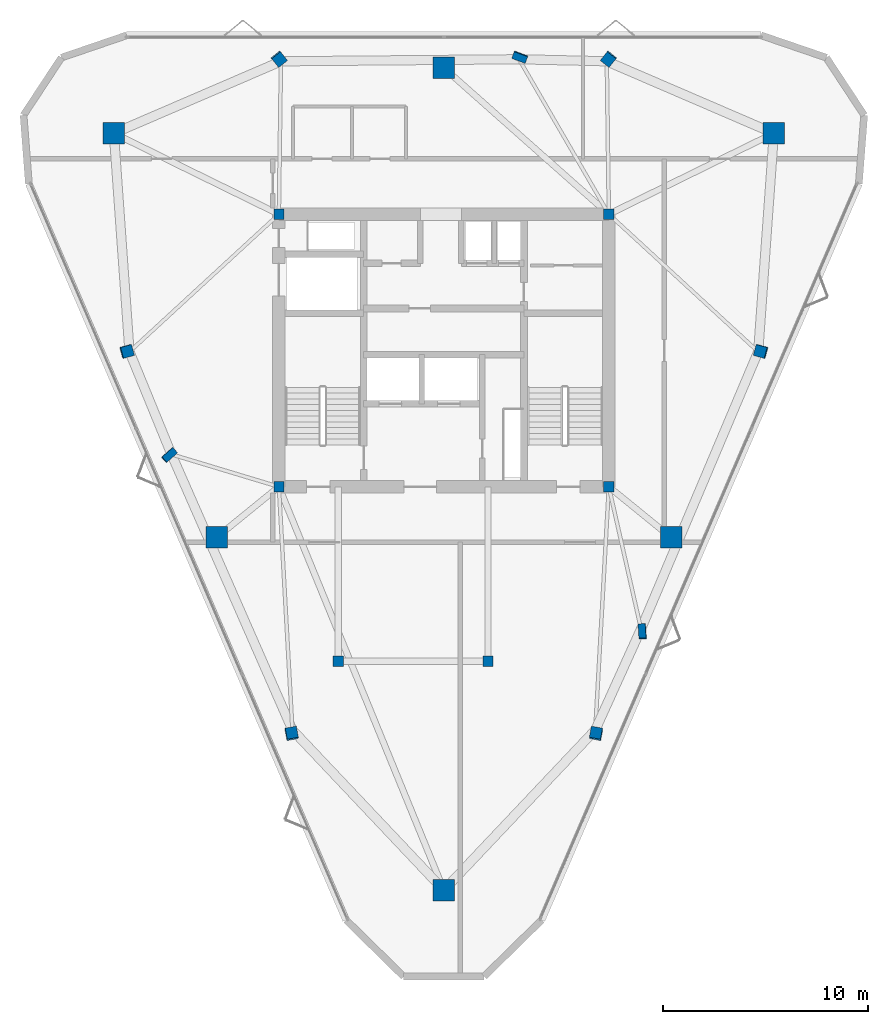
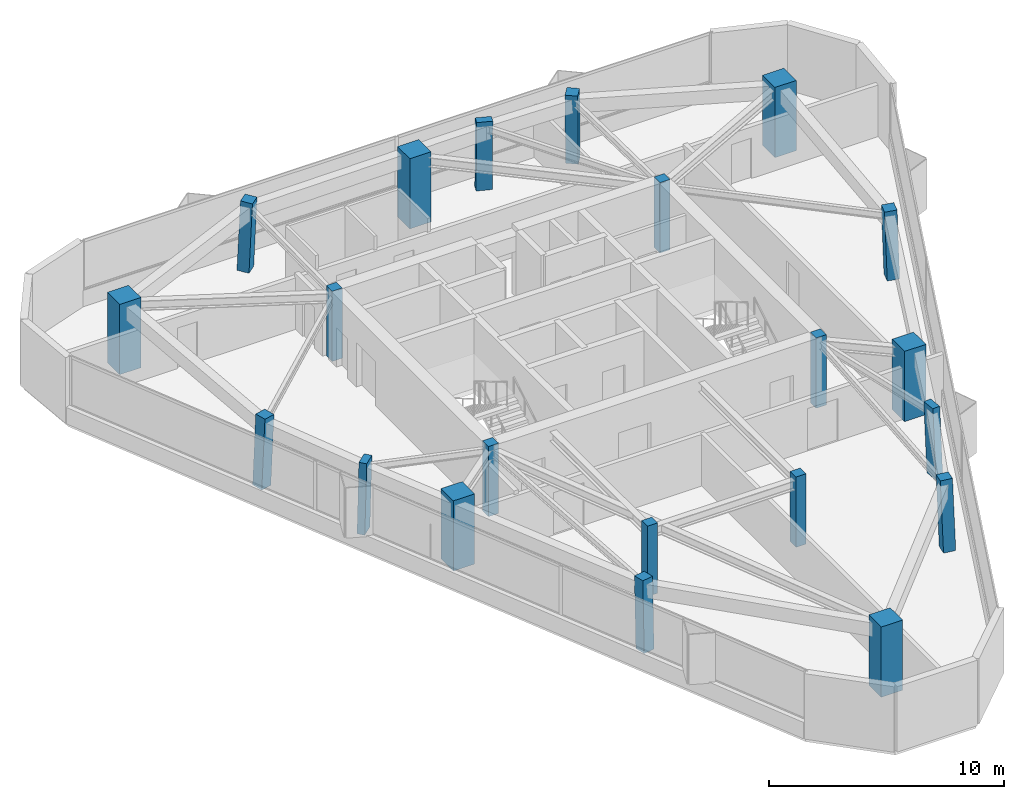
# One storey, part 1 of 9: 21 columns.
"""IFC4 building model written with IfcOpenShell, lengths in metres."""

from ifc_helpers import new_model, si_unit, direction, frame, origin, origin_2d, place, context, subcontext, project, spatial, rectangle, extrude, material, material_profile, profile_set, type_object, element, save


model = new_model("IFC4")

# Units and contexts
model_context = context("Model", 3, precision=1e-05, world=origin(), true_north=direction((0.0, 1.0)))
body_context = subcontext(model_context, "Body", "Model", "MODEL_VIEW")
ifc_project = project(units=[si_unit("LENGTHUNIT", "METRE"), si_unit("AREAUNIT", "SQUARE_METRE"), si_unit("VOLUMEUNIT", "CUBIC_METRE"), si_unit("PLANEANGLEUNIT", "RADIAN"), si_unit("MASSUNIT", "GRAM", prefix="KILO")], contexts=[model_context])

# Site, building, storey
site_placement = place(None, origin())
site = spatial("IfcSite", under=ifc_project, at=site_placement, CompositionType="ELEMENT")
building_placement = place(site_placement, origin())
building = spatial("IfcBuilding", under=site, at=building_placement, Name="Talyreon Biosciences Tower", CompositionType="ELEMENT")
storey_placement = place(building_placement, frame((0.0, 0.0, 305.699951171875)))
storey = spatial("IfcBuildingStorey", under=building, at=storey_placement, Name="L81", CompositionType="ELEMENT", Elevation=305.699951171875)

# Columns
ifc_material_1 = material(Name="Concrete C50/60", Category="concrete")
ifc_material_profile_1 = material_profile(ifc_material_1, rectangle(XDim=0.5, YDim=0.5, at=origin_2d()), Name="RC 500x500")
ifc_profile_set_1 = profile_set([ifc_material_profile_1], Name="Concrete C50/60")
column_type_1 = type_object("IfcColumnType", Name="CrownColumn_500", PredefinedType="COLUMN", material=ifc_profile_set_1)
for number, where, z_axis, x_axis, name in (
    (1, (57.949951171875, 61.35009765625, 0.0), (0.0, 0.0, 1.0), (1.0, 0.0, 0.0), "L81 Core Column CC1"),
    (2, (74.050048828125, 61.35009765625, 0.0), (0.0, 0.0, 1.0), (1.0, 0.0, 0.0), "L81 Core Column CC2"),
    (3, (74.050048828125, 74.64990234375, 0.0), (0.0, 0.0, 1.0), (1.0, 0.0, 0.0), "L81 Core Column CC3"),
    (4, (57.949951171875, 74.64990234375, 0.0), (0.0, 0.0, 1.0), (1.0, 0.0, 0.0), "L81 Core Column CC4"),
    (5, (60.85009765625, 52.840087890625, 0.0), (0.0, 0.0, 1.0), (1.0, 0.0, 0.0), "L81 Core Column CSW"),
    (6, (68.14990234375, 52.840087890625, 0.0), (0.0, 0.0, 1.0), (1.0, 0.0, 0.0), "L81 Core Column CSE"),
):
    element("IfcColumn", number, at=place(storey_placement, frame(where, z_axis=z_axis, x_axis=x_axis)), inside=storey, type_object=column_type_1, Name=name, PredefinedType="COLUMN", context=body_context, shape_type="SweptSolid", body=[
        extrude(rectangle(XDim=0.5, YDim=0.5, at=origin_2d()), origin(), (0.0, 0.0, 1.0), 3.650146484375),
    ])
ifc_material_2 = material(Name="Precast concrete C45/55", Category="concrete")
ifc_material_profile_2 = material_profile(ifc_material_2, rectangle(XDim=0.699951171875, YDim=0.35009765625, at=origin_2d()), Name="RC 700x350")
ifc_profile_set_2 = profile_set([ifc_material_profile_2], Name="Precast concrete C45/55")
column_type_2 = type_object("IfcColumnType", Name="FacadePilaster_700x350", PredefinedType="PILASTER", material=ifc_profile_set_2)
column_1_placement = place(storey_placement, frame((75.6923828125, 54.273193359375, 0.0029296875), z_axis=(-0.019545044433, 0.038353802945, 0.999073058909), x_axis=(0.063994746449, -0.997166911061, 0.039532567734)))
element("IfcColumn", 7, at=column_1_placement, inside=storey, type_object=column_type_2, Name="L81 Facade Pilaster PL-SE", PredefinedType="PILASTER", context=body_context, shape_type="SweptSolid", body=[
    extrude(rectangle(XDim=0.699951171875, YDim=0.35009765625, at=origin_2d()), origin(), (0.0, 0.0, 1.0), 3.6474609375),
])
column_2_placement = place(storey_placement, frame((69.714599609375, 82.33349609375, 0.0029296875), z_axis=(-0.012453496874, -0.033544096418, 0.99935964698), x_axis=(-0.937477612418, 0.348045580658, 0.0)))
element("IfcColumn", 8, at=column_2_placement, inside=storey, type_object=column_type_2, Name="L81 Facade Pilaster PL-N", PredefinedType="PILASTER", context=body_context, shape_type="SweptSolid", body=[
    extrude(rectangle(XDim=0.699951171875, YDim=0.35009765625, at=origin_2d()), origin(), (0.0, 0.0, 1.0), 3.646484375),
])
column_3_placement = place(storey_placement, frame((52.593017578125, 62.89306640625, 0.0029296875), z_axis=(0.032006454348, 0.010579539303, 0.999431668614), x_axis=(0.74726787967, 0.663801428629, -0.030957702814)))
element("IfcColumn", 9, at=column_3_placement, inside=storey, type_object=column_type_2, Name="L81 Facade Pilaster PL-SW", PredefinedType="PILASTER", context=body_context, shape_type="SweptSolid", body=[
    extrude(rectangle(XDim=0.699951171875, YDim=0.35009765625, at=origin_2d()), origin(), (0.0, 0.0, 1.0), 3.64599609375),
])
ifc_material_profile_3 = material_profile(ifc_material_1, rectangle(XDim=1.050048828125, YDim=1.050048828125, at=origin_2d()), Name="RC 1050x1050")
ifc_profile_set_3 = profile_set([ifc_material_profile_3], Name="Concrete C50/60")
column_type_3 = type_object("IfcColumnType", Name="MegaColumn_1050", PredefinedType="COLUMN", material=ifc_profile_set_3)
for number, where, z_axis, x_axis, name in (
    (10, (66.0, 41.6669921875, 0.0), (0.0, 0.0, 1.0), (1.0, 0.0, 0.0), "L81 Composite Mega-Column MC1"),
    (11, (82.102294921875, 78.5986328125, 0.0), (0.0, 0.0, 1.0), (1.0, 0.0, 0.0), "L81 Composite Mega-Column MC2"),
    (12, (49.897705078125, 78.5986328125, 0.0), (0.0, 0.0, 1.0), (1.0, 0.0, 0.0), "L81 Composite Mega-Column MC3"),
    (13, (77.086181640625, 58.88037109375, 0.0), (0.0, 0.0, 1.0), (1.0, 0.0, 0.0), "L81 Composite Mega-Column MC4"),
    (14, (66.0, 81.788818359375, 0.0), (0.0, 0.0, 1.0), (1.0, 0.0, 0.0), "L81 Composite Mega-Column MC5"),
    (15, (54.913818359375, 58.88037109375, 0.0), (0.0, 0.0, 1.0), (1.0, 0.0, 0.0), "L81 Composite Mega-Column MC6"),
):
    element("IfcColumn", number, at=place(storey_placement, frame(where, z_axis=z_axis, x_axis=x_axis)), inside=storey, type_object=column_type_3, Name=name, PredefinedType="COLUMN", context=body_context, shape_type="SweptSolid", body=[
        extrude(rectangle(XDim=1.050048828125, YDim=1.050048828125, at=origin_2d()), origin(), (0.0, 0.0, 1.0), 3.650146484375),
    ])
ifc_material_profile_4 = material_profile(ifc_material_1, rectangle(XDim=0.550048828125, YDim=0.550048828125, at=origin_2d()), Name="RC 550x550")
ifc_profile_set_4 = profile_set([ifc_material_profile_4], Name="Concrete C50/60")
column_type_4 = type_object("IfcColumnType", Name="PerimeterColumn_550", PredefinedType="COLUMN", material=ifc_profile_set_4)
column_4_placement = place(storey_placement, frame((73.433837890625, 49.284423828125, 0.0029296875), z_axis=(-0.012308213911, 0.054517360531, 0.99843696109), x_axis=(-0.184092516193, -0.981567877602, 0.051326865688)))
element("IfcColumn", 16, at=column_4_placement, inside=storey, type_object=column_type_4, Name="L81 Tapering Perimeter Column PC-SE1", PredefinedType="COLUMN", context=body_context, shape_type="SweptSolid", body=[
    extrude(rectangle(XDim=0.550048828125, YDim=0.550048828125, at=origin_2d()), origin(), (0.0, 0.0, 1.0), 3.649658203125),
])
column_5_placement = place(storey_placement, frame((81.481689453125, 67.960693359375, 0.0029296875), z_axis=(-0.039162681125, -0.005556414587, 0.9992173991), x_axis=(0.964136529047, -0.26290909442, 0.0363257681)))
element("IfcColumn", 17, at=column_5_placement, inside=storey, type_object=column_type_4, Name="L81 Tapering Perimeter Column PC-SE2", PredefinedType="COLUMN", context=body_context, shape_type="SweptSolid", body=[
    extrude(rectangle(XDim=0.550048828125, YDim=0.550048828125, at=origin_2d()), origin(), (0.0, 0.0, 1.0), 3.64697265625),
])
for number, where, z_axis, x_axis, name in (
    (18, (74.048095703125, 82.2333984375, 0.0029296875), (-0.026907963191, -0.033534551141, 0.999075270136), (-0.779956681152, 0.625833504637, 0.0), "L81 Tapering Perimeter Column PC-N1"),
    (19, (57.951904296875, 82.2333984375, 0.0029296875), (0.026907963191, -0.033534551141, 0.999075270136), (-0.779956681152, -0.625833504637, 0.0), "L81 Tapering Perimeter Column PC-N2"),
):
    element("IfcColumn", number, at=place(storey_placement, frame(where, z_axis=z_axis, x_axis=x_axis)), inside=storey, type_object=column_type_4, Name=name, PredefinedType="COLUMN", context=body_context, shape_type="SweptSolid", body=[
        extrude(rectangle(XDim=0.550048828125, YDim=0.550048828125, at=origin_2d()), origin(), (0.0, 0.0, 1.0), 3.6474609375),
    ])
column_6_placement = place(storey_placement, frame((50.518310546875, 67.960693359375, 0.0029296875), z_axis=(0.039162681125, -0.005556414587, 0.9992173991), x_axis=(0.964136529047, 0.26290909442, -0.0363257681)))
element("IfcColumn", 20, at=column_6_placement, inside=storey, type_object=column_type_4, Name="L81 Tapering Perimeter Column PC-SW1", PredefinedType="COLUMN", context=body_context, shape_type="SweptSolid", body=[
    extrude(rectangle(XDim=0.550048828125, YDim=0.550048828125, at=origin_2d()), origin(), (0.0, 0.0, 1.0), 3.64697265625),
])
column_7_placement = place(storey_placement, frame((58.566162109375, 49.284423828125, 0.0029296875), z_axis=(0.012308213911, 0.054517360531, 0.99843696109), x_axis=(-0.184092516193, 0.981567877602, -0.051326865688)))
element("IfcColumn", 21, at=column_7_placement, inside=storey, type_object=column_type_4, Name="L81 Tapering Perimeter Column PC-SW2", PredefinedType="COLUMN", context=body_context, shape_type="SweptSolid", body=[
    extrude(rectangle(XDim=0.550048828125, YDim=0.550048828125, at=origin_2d()), origin(), (0.0, 0.0, 1.0), 3.649658203125),
])

save(model, "model.ifc")
